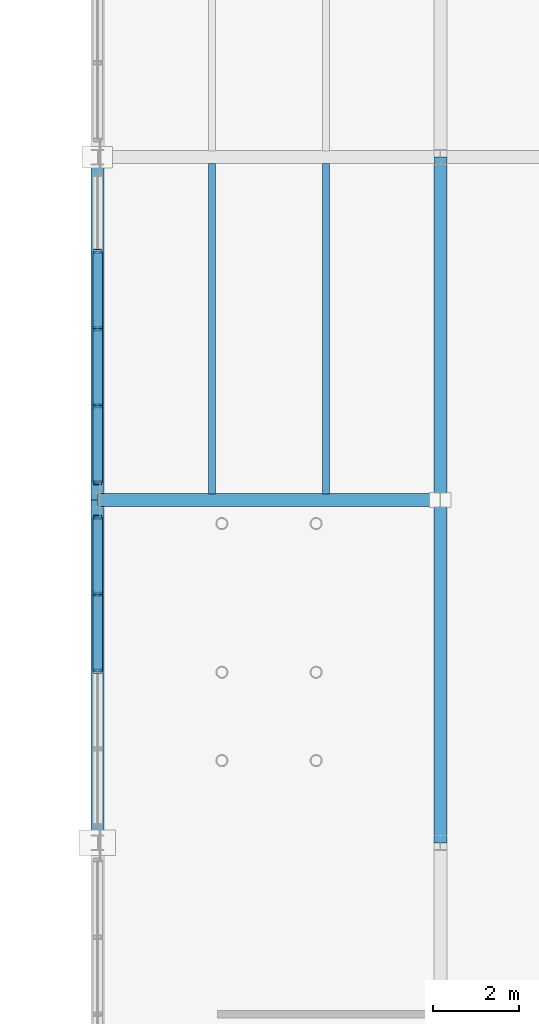
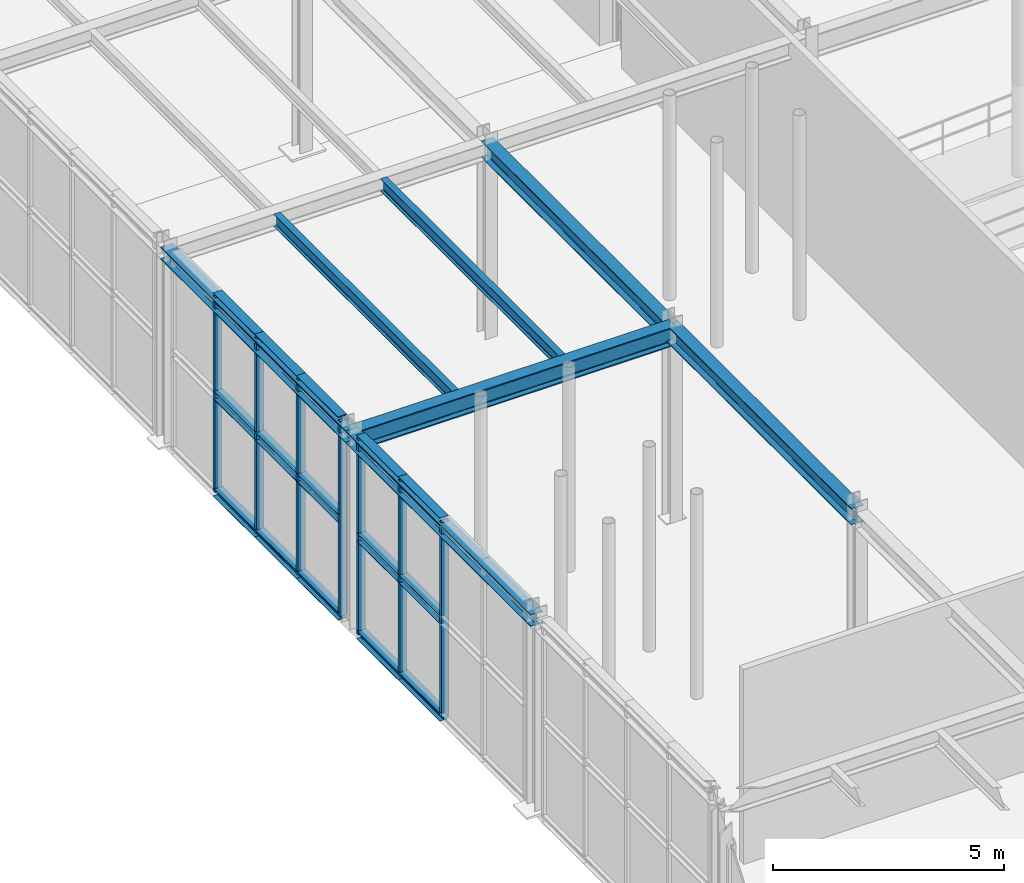
# One storey, part 27 of 129: 22 members, 7 beams, 2 elements without a shape of their own.
"""IFC4 building model written with IfcOpenShell, lengths in metres."""

from ifc_helpers import new_model, si_unit, direction, frame, origin, origin_2d, place, context, subcontext, project, spatial, hollow_rectangle, i_section, extrude, material, material_profile, profile_set, type_object, element, aggregate, save


model = new_model("IFC4")

# Units and contexts
model_context = context("Model", 3, precision=1e-05, world=origin(), true_north=direction((0.0, 1.0)))
body_context = subcontext(model_context, "Body", "Model", "MODEL_VIEW")
ifc_project = project(units=[si_unit("LENGTHUNIT", "METRE"), si_unit("AREAUNIT", "SQUARE_METRE"), si_unit("VOLUMEUNIT", "CUBIC_METRE"), si_unit("PLANEANGLEUNIT", "RADIAN"), si_unit("MASSUNIT", "GRAM", prefix="KILO")], contexts=[model_context])

# Site, building, storey
site_placement = place(None, origin())
site = spatial("IfcSite", under=ifc_project, at=site_placement, CompositionType="ELEMENT")
building_placement = place(site_placement, origin())
building = spatial("IfcBuilding", under=site, at=building_placement, Name="Sundkrona Museum", CompositionType="ELEMENT")
storey_placement = place(building_placement, origin())
storey = spatial("IfcBuildingStorey", under=building, at=storey_placement, Name="L00", CompositionType="ELEMENT", Elevation=0.0)

# Beams
ifc_material_1 = material(Name="Steel S355J2", Category="steel")
ifc_material_profile_1 = material_profile(ifc_material_1, i_section(OverallWidth=0.300048828125, OverallDepth=0.43994140625, WebThickness=0.011474609375, FlangeThickness=0.02099609375, FilletRadius=0.027099609375, at=origin_2d()), Name="HEA 450")
ifc_profile_set_1 = profile_set([ifc_material_profile_1], Name="Steel S355J2")
beam_type_1 = type_object("IfcBeamType", Name="B-HEA450", PredefinedType="BEAM", material=ifc_profile_set_1)
for number, where, z_axis, x_axis, name in (
    (1, (88.0, 16.0, 4.919921875), (0.0, 1.0, 0.0), (-1.0, 0.0, 0.0), "L00 Girder Y-0688"),
    (2, (88.0, 24.0, 4.919921875), (0.0, 1.0, 0.0), (-1.0, 0.0, 0.0), "L00 Girder Y-0689"),
):
    element("IfcBeam", number, at=place(storey_placement, frame(where, z_axis=z_axis, x_axis=x_axis)), inside=storey, type_object=beam_type_1, Name=name, PredefinedType="BEAM", context=body_context, shape_type="SweptSolid", body=[
        extrude(i_section(OverallWidth=0.300048828125, OverallDepth=0.43994140625, WebThickness=0.011474609375, FlangeThickness=0.02099609375, FilletRadius=0.027099609375, at=origin_2d()), origin(), (0.0, 0.0, 1.0), 8.0),
    ])
ifc_material_profile_2 = material_profile(ifc_material_1, i_section(OverallWidth=0.300048828125, OverallDepth=0.5, WebThickness=0.014404296875, FlangeThickness=0.028076171875, FilletRadius=0.027099609375, at=origin_2d()), Name="HEB 500")
ifc_profile_set_2 = profile_set([ifc_material_profile_2], Name="Steel S355J2")
beam_type_2 = type_object("IfcBeamType", Name="B-HEB500", PredefinedType="BEAM", material=ifc_profile_set_2)
beam_placement = place(storey_placement, frame((80.0, 24.0, 4.889892578125), z_axis=(1.0, 0.0, 0.0), x_axis=(0.0, 1.0, 0.0)))
element("IfcBeam", 3, at=beam_placement, inside=storey, type_object=beam_type_2, Name="L00 Girder X-0450", PredefinedType="BEAM", context=body_context, shape_type="SweptSolid", body=[
    extrude(i_section(OverallWidth=0.300048828125, OverallDepth=0.5, WebThickness=0.014404296875, FlangeThickness=0.028076171875, FilletRadius=0.027099609375, at=origin_2d()), origin(), (0.0, 0.0, 1.0), 8.0),
])
ifc_material_profile_3 = material_profile(ifc_material_1, i_section(OverallWidth=0.159912109375, OverallDepth=0.330078125, WebThickness=0.007568359375, FlangeThickness=0.011474609375, FilletRadius=0.01806640625, at=origin_2d()), Name="IPE 330")
ifc_profile_set_3 = profile_set([ifc_material_profile_3], Name="Steel S355J2")
beam_type_3 = type_object("IfcBeamType", Name="J-IPE330", PredefinedType="JOIST", material=ifc_profile_set_3)
for number, where, z_axis, x_axis, name in (
    (4, (82.666748046875, 24.14404296875, 4.97509765625), (0.0, 1.0, 0.0), (-1.0, 0.0, 0.0), "L00 Composite Joist 0391"),
    (5, (85.333251953125, 24.14404296875, 4.97509765625), (0.0, 1.0, 0.0), (-1.0, 0.0, 0.0), "L00 Composite Joist 0392"),
):
    element("IfcBeam", number, at=place(storey_placement, frame(where, z_axis=z_axis, x_axis=x_axis)), inside=storey, type_object=beam_type_3, Name=name, PredefinedType="JOIST", context=body_context, shape_type="SweptSolid", body=[
        extrude(i_section(OverallWidth=0.159912109375, OverallDepth=0.330078125, WebThickness=0.007568359375, FlangeThickness=0.011474609375, FilletRadius=0.01806640625, at=origin_2d()), origin(), (0.0, 0.0, 1.0), 7.7119140625),
    ])

# Curtain wall, members
ifc_material_2 = material(Name="Unitised Aluminium-Steel and Ceramic-Clad Curtain Walling", Category="steel")
curtain_wall_type = type_object("IfcCurtainWallType", Name="CW-AT-72x50", PredefinedType="NOTDEFINED", material=ifc_material_2)
curtain_wall_1_placement = place(storey_placement, origin())
curtain_wall_1 = element("IfcCurtainWall", 6, at=curtain_wall_1_placement, inside=storey, type_object=curtain_wall_type, Name="L00 Curtain Wall CW-L00-022", PredefinedType="NOTDEFINED")
ifc_material_3 = material(Name="Aluminium EN AW-6060 T66", Category="aluminium")
ifc_material_profile_4 = material_profile(ifc_material_3, hollow_rectangle(XDim=0.090087890625, YDim=0.179931640625, WallThickness=0.00634765625, at=origin_2d()), Name="RHS 180x90x6.3")
ifc_profile_set_4 = profile_set([ifc_material_profile_4], Name="Aluminium EN AW-6060 T66")
member_type_1 = type_object("IfcMemberType", Name="ML-180", PredefinedType="MULLION", material=ifc_profile_set_4)
member_1_placement = place(storey_placement, frame((80.0, 20.0, -0.00390625), z_axis=(0.0, 0.0, 1.0), x_axis=(0.0, 1.0, 0.0)))
member_1 = element("IfcMember", 7, at=member_1_placement, type_object=member_type_1, Name="CW-L00-022 Mullion 03", PredefinedType="MULLION", context=body_context, shape_type="SweptSolid", body=[
    extrude(hollow_rectangle(XDim=0.090087890625, YDim=0.179931640625, WallThickness=0.00634765625, at=origin_2d()), origin(), (0.0, 0.0, 1.0), 5.14794921875),
])
member_2_placement = place(storey_placement, frame((80.0, 21.800048828125, -0.00390625), z_axis=(0.0, 0.0, 1.0), x_axis=(0.0, 1.0, 0.0)))
member_2 = element("IfcMember", 8, at=member_2_placement, type_object=member_type_1, Name="CW-L00-022 Mullion 04", PredefinedType="MULLION", context=body_context, shape_type="SweptSolid", body=[
    extrude(hollow_rectangle(XDim=0.090087890625, YDim=0.179931640625, WallThickness=0.00634765625, at=origin_2d()), origin(), (0.0, 0.0, 1.0), 5.14794921875),
])
member_3_placement = place(storey_placement, frame((80.0, 23.60009765625, -0.00390625), z_axis=(0.0, 0.0, 1.0), x_axis=(0.0, 1.0, 0.0)))
member_3 = element("IfcMember", 9, at=member_3_placement, type_object=member_type_1, Name="CW-L00-022 Mullion 05", PredefinedType="MULLION", context=body_context, shape_type="SweptSolid", body=[
    extrude(hollow_rectangle(XDim=0.090087890625, YDim=0.179931640625, WallThickness=0.00634765625, at=origin_2d()), origin(), (0.0, 0.0, 1.0), 5.14794921875),
])

curtain_wall_2_placement = place(storey_placement, origin())
curtain_wall_2 = element("IfcCurtainWall", 10, at=curtain_wall_2_placement, inside=storey, type_object=curtain_wall_type, Name="L00 Curtain Wall CW-L00-023", PredefinedType="NOTDEFINED")
member_4_placement = place(storey_placement, frame((80.0, 24.39990234375, -0.00390625), z_axis=(0.0, 0.0, 1.0), x_axis=(0.0, 1.0, 0.0)))
member_4 = element("IfcMember", 11, at=member_4_placement, type_object=member_type_1, Name="CW-L00-023 Mullion 01", PredefinedType="MULLION", context=body_context, shape_type="SweptSolid", body=[
    extrude(hollow_rectangle(XDim=0.090087890625, YDim=0.179931640625, WallThickness=0.00634765625, at=origin_2d()), origin(), (0.0, 0.0, 1.0), 5.14794921875),
])
member_5_placement = place(storey_placement, frame((80.0, 26.199951171875, -0.00390625), z_axis=(0.0, 0.0, 1.0), x_axis=(0.0, 1.0, 0.0)))
member_5 = element("IfcMember", 12, at=member_5_placement, type_object=member_type_1, Name="CW-L00-023 Mullion 02", PredefinedType="MULLION", context=body_context, shape_type="SweptSolid", body=[
    extrude(hollow_rectangle(XDim=0.090087890625, YDim=0.179931640625, WallThickness=0.00634765625, at=origin_2d()), origin(), (0.0, 0.0, 1.0), 5.14794921875),
])
member_6_placement = place(storey_placement, frame((80.0, 28.0, -0.00390625), z_axis=(0.0, 0.0, 1.0), x_axis=(0.0, 1.0, 0.0)))
member_6 = element("IfcMember", 13, at=member_6_placement, type_object=member_type_1, Name="CW-L00-023 Mullion 03", PredefinedType="MULLION", context=body_context, shape_type="SweptSolid", body=[
    extrude(hollow_rectangle(XDim=0.090087890625, YDim=0.179931640625, WallThickness=0.00634765625, at=origin_2d()), origin(), (0.0, 0.0, 1.0), 5.14794921875),
])
member_7_placement = place(storey_placement, frame((80.0, 29.800048828125, -0.00390625), z_axis=(0.0, 0.0, 1.0), x_axis=(0.0, 1.0, 0.0)))
member_7 = element("IfcMember", 14, at=member_7_placement, type_object=member_type_1, Name="CW-L00-023 Mullion 04", PredefinedType="MULLION", context=body_context, shape_type="SweptSolid", body=[
    extrude(hollow_rectangle(XDim=0.090087890625, YDim=0.179931640625, WallThickness=0.00634765625, at=origin_2d()), origin(), (0.0, 0.0, 1.0), 5.14794921875),
])

# Beams
ifc_material_profile_5 = material_profile(ifc_material_1, i_section(OverallWidth=0.300048828125, OverallDepth=0.320068359375, WebThickness=0.011474609375, FlangeThickness=0.0205078125, FilletRadius=0.027099609375, at=origin_2d()), Name="HEB 320")
ifc_profile_set_5 = profile_set([ifc_material_profile_5], Name="Steel S355J2")
beam_type_4 = type_object("IfcBeamType", Name="SP-HEB320", PredefinedType="SPANDREL", material=ifc_profile_set_5)
for number, where, z_axis, x_axis, name in (
    (15, (80.0, 16.0, 4.97998046875), (0.0, 1.0, 0.0), (-1.0, 0.0, 0.0), "L00 Girder Y-0673"),
    (16, (80.0, 24.0, 4.97998046875), (0.0, 1.0, 0.0), (-1.0, 0.0, 0.0), "L00 Girder Y-0674"),
):
    element("IfcBeam", number, at=place(storey_placement, frame(where, z_axis=z_axis, x_axis=x_axis)), inside=storey, type_object=beam_type_4, Name=name, PredefinedType="SPANDREL", context=body_context, shape_type="SweptSolid", body=[
        extrude(i_section(OverallWidth=0.300048828125, OverallDepth=0.320068359375, WebThickness=0.011474609375, FlangeThickness=0.0205078125, FilletRadius=0.027099609375, at=origin_2d()), origin(), (0.0, 0.0, 1.0), 8.0),
    ])

# Member
ifc_material_profile_6 = material_profile(ifc_material_1, i_section(OverallWidth=0.219970703125, OverallDepth=0.219970703125, WebThickness=0.009521484375, FlangeThickness=0.01611328125, FilletRadius=0.01806640625, at=origin_2d()), Name="HEB 220")
ifc_profile_set_6 = profile_set([ifc_material_profile_6], Name="Steel S355J2")
member_type_2 = type_object("IfcMemberType", Name="TR-HEB220", PredefinedType="USERDEFINED", material=ifc_profile_set_6)
member_8_placement = place(storey_placement, frame((80.0, 20.0, -0.00390625), z_axis=(0.0, 1.0, 0.0), x_axis=(-1.0, 0.0, 0.0)))
member_8 = element("IfcMember", 17, at=member_8_placement, type_object=member_type_2, Name="CW-L00-022 Transom 07", ObjectType="TRANSOM", PredefinedType="USERDEFINED", context=body_context, shape_type="SweptSolid", body=[
    extrude(i_section(OverallWidth=0.219970703125, OverallDepth=0.219970703125, WebThickness=0.009521484375, FlangeThickness=0.01611328125, FilletRadius=0.01806640625, at=origin_2d()), origin(), (0.0, 0.0, 1.0), 1.800048828125),
])

member_9_placement = place(storey_placement, frame((80.0, 20.0, 2.570068359375), z_axis=(0.0, 1.0, 0.0), x_axis=(-1.0, 0.0, 0.0)))
member_9 = element("IfcMember", 18, at=member_9_placement, type_object=member_type_2, Name="CW-L00-022 Transom 08", ObjectType="TRANSOM", PredefinedType="USERDEFINED", context=body_context, shape_type="SweptSolid", body=[
    extrude(i_section(OverallWidth=0.219970703125, OverallDepth=0.219970703125, WebThickness=0.009521484375, FlangeThickness=0.01611328125, FilletRadius=0.01806640625, at=origin_2d()), origin(), (0.0, 0.0, 1.0), 1.800048828125),
])

member_10_placement = place(storey_placement, frame((80.0, 20.0, 5.14404296875), z_axis=(0.0, 1.0, 0.0), x_axis=(-1.0, 0.0, 0.0)))
member_10 = element("IfcMember", 19, at=member_10_placement, type_object=member_type_2, Name="CW-L00-022 Transom 09", ObjectType="TRANSOM", PredefinedType="USERDEFINED", context=body_context, shape_type="SweptSolid", body=[
    extrude(i_section(OverallWidth=0.219970703125, OverallDepth=0.219970703125, WebThickness=0.009521484375, FlangeThickness=0.01611328125, FilletRadius=0.01806640625, at=origin_2d()), origin(), (0.0, 0.0, 1.0), 1.800048828125),
])

member_11_placement = place(storey_placement, frame((80.0, 21.800048828125, -0.00390625), z_axis=(0.0, 1.0, 0.0), x_axis=(-1.0, 0.0, 0.0)))
member_11 = element("IfcMember", 20, at=member_11_placement, type_object=member_type_2, Name="CW-L00-022 Transom 10", ObjectType="TRANSOM", PredefinedType="USERDEFINED", context=body_context, shape_type="SweptSolid", body=[
    extrude(i_section(OverallWidth=0.219970703125, OverallDepth=0.219970703125, WebThickness=0.009521484375, FlangeThickness=0.01611328125, FilletRadius=0.01806640625, at=origin_2d()), origin(), (0.0, 0.0, 1.0), 1.800048828125),
])

member_12_placement = place(storey_placement, frame((80.0, 21.800048828125, 2.570068359375), z_axis=(0.0, 1.0, 0.0), x_axis=(-1.0, 0.0, 0.0)))
member_12 = element("IfcMember", 21, at=member_12_placement, type_object=member_type_2, Name="CW-L00-022 Transom 11", ObjectType="TRANSOM", PredefinedType="USERDEFINED", context=body_context, shape_type="SweptSolid", body=[
    extrude(i_section(OverallWidth=0.219970703125, OverallDepth=0.219970703125, WebThickness=0.009521484375, FlangeThickness=0.01611328125, FilletRadius=0.01806640625, at=origin_2d()), origin(), (0.0, 0.0, 1.0), 1.800048828125),
])

member_13_placement = place(storey_placement, frame((80.0, 21.800048828125, 5.14404296875), z_axis=(0.0, 1.0, 0.0), x_axis=(-1.0, 0.0, 0.0)))
member_13 = element("IfcMember", 22, at=member_13_placement, type_object=member_type_2, Name="CW-L00-022 Transom 12", ObjectType="TRANSOM", PredefinedType="USERDEFINED", context=body_context, shape_type="SweptSolid", body=[
    extrude(i_section(OverallWidth=0.219970703125, OverallDepth=0.219970703125, WebThickness=0.009521484375, FlangeThickness=0.01611328125, FilletRadius=0.01806640625, at=origin_2d()), origin(), (0.0, 0.0, 1.0), 1.800048828125),
])

aggregate(curtain_wall_1, [member_1, member_2, member_3, member_8, member_9, member_10, member_11, member_12, member_13])

member_14_placement = place(storey_placement, frame((80.0, 24.39990234375, -0.00390625), z_axis=(0.0, 1.0, 0.0), x_axis=(-1.0, 0.0, 0.0)))
member_14 = element("IfcMember", 23, at=member_14_placement, type_object=member_type_2, Name="CW-L00-023 Transom 01", ObjectType="TRANSOM", PredefinedType="USERDEFINED", context=body_context, shape_type="SweptSolid", body=[
    extrude(i_section(OverallWidth=0.219970703125, OverallDepth=0.219970703125, WebThickness=0.009521484375, FlangeThickness=0.01611328125, FilletRadius=0.01806640625, at=origin_2d()), origin(), (0.0, 0.0, 1.0), 1.800048828125),
])

member_15_placement = place(storey_placement, frame((80.0, 24.39990234375, 2.570068359375), z_axis=(0.0, 1.0, 0.0), x_axis=(-1.0, 0.0, 0.0)))
member_15 = element("IfcMember", 24, at=member_15_placement, type_object=member_type_2, Name="CW-L00-023 Transom 02", ObjectType="TRANSOM", PredefinedType="USERDEFINED", context=body_context, shape_type="SweptSolid", body=[
    extrude(i_section(OverallWidth=0.219970703125, OverallDepth=0.219970703125, WebThickness=0.009521484375, FlangeThickness=0.01611328125, FilletRadius=0.01806640625, at=origin_2d()), origin(), (0.0, 0.0, 1.0), 1.800048828125),
])

member_16_placement = place(storey_placement, frame((80.0, 24.39990234375, 5.14404296875), z_axis=(0.0, 1.0, 0.0), x_axis=(-1.0, 0.0, 0.0)))
member_16 = element("IfcMember", 25, at=member_16_placement, type_object=member_type_2, Name="CW-L00-023 Transom 03", ObjectType="TRANSOM", PredefinedType="USERDEFINED", context=body_context, shape_type="SweptSolid", body=[
    extrude(i_section(OverallWidth=0.219970703125, OverallDepth=0.219970703125, WebThickness=0.009521484375, FlangeThickness=0.01611328125, FilletRadius=0.01806640625, at=origin_2d()), origin(), (0.0, 0.0, 1.0), 1.800048828125),
])

member_17_placement = place(storey_placement, frame((80.0, 26.199951171875, -0.00390625), z_axis=(0.0, 1.0, 0.0), x_axis=(-1.0, 0.0, 0.0)))
member_17 = element("IfcMember", 26, at=member_17_placement, type_object=member_type_2, Name="CW-L00-023 Transom 04", ObjectType="TRANSOM", PredefinedType="USERDEFINED", context=body_context, shape_type="SweptSolid", body=[
    extrude(i_section(OverallWidth=0.219970703125, OverallDepth=0.219970703125, WebThickness=0.009521484375, FlangeThickness=0.01611328125, FilletRadius=0.01806640625, at=origin_2d()), origin(), (0.0, 0.0, 1.0), 1.800048828125),
])

member_18_placement = place(storey_placement, frame((80.0, 26.199951171875, 2.570068359375), z_axis=(0.0, 1.0, 0.0), x_axis=(-1.0, 0.0, 0.0)))
member_18 = element("IfcMember", 27, at=member_18_placement, type_object=member_type_2, Name="CW-L00-023 Transom 05", ObjectType="TRANSOM", PredefinedType="USERDEFINED", context=body_context, shape_type="SweptSolid", body=[
    extrude(i_section(OverallWidth=0.219970703125, OverallDepth=0.219970703125, WebThickness=0.009521484375, FlangeThickness=0.01611328125, FilletRadius=0.01806640625, at=origin_2d()), origin(), (0.0, 0.0, 1.0), 1.800048828125),
])

member_19_placement = place(storey_placement, frame((80.0, 26.199951171875, 5.14404296875), z_axis=(0.0, 1.0, 0.0), x_axis=(-1.0, 0.0, 0.0)))
member_19 = element("IfcMember", 28, at=member_19_placement, type_object=member_type_2, Name="CW-L00-023 Transom 06", ObjectType="TRANSOM", PredefinedType="USERDEFINED", context=body_context, shape_type="SweptSolid", body=[
    extrude(i_section(OverallWidth=0.219970703125, OverallDepth=0.219970703125, WebThickness=0.009521484375, FlangeThickness=0.01611328125, FilletRadius=0.01806640625, at=origin_2d()), origin(), (0.0, 0.0, 1.0), 1.800048828125),
])

member_20_placement = place(storey_placement, frame((80.0, 28.0, -0.00390625), z_axis=(0.0, 1.0, 0.0), x_axis=(-1.0, 0.0, 0.0)))
member_20 = element("IfcMember", 29, at=member_20_placement, type_object=member_type_2, Name="CW-L00-023 Transom 07", ObjectType="TRANSOM", PredefinedType="USERDEFINED", context=body_context, shape_type="SweptSolid", body=[
    extrude(i_section(OverallWidth=0.219970703125, OverallDepth=0.219970703125, WebThickness=0.009521484375, FlangeThickness=0.01611328125, FilletRadius=0.01806640625, at=origin_2d()), origin(), (0.0, 0.0, 1.0), 1.800048828125),
])

member_21_placement = place(storey_placement, frame((80.0, 28.0, 2.570068359375), z_axis=(0.0, 1.0, 0.0), x_axis=(-1.0, 0.0, 0.0)))
member_21 = element("IfcMember", 30, at=member_21_placement, type_object=member_type_2, Name="CW-L00-023 Transom 08", ObjectType="TRANSOM", PredefinedType="USERDEFINED", context=body_context, shape_type="SweptSolid", body=[
    extrude(i_section(OverallWidth=0.219970703125, OverallDepth=0.219970703125, WebThickness=0.009521484375, FlangeThickness=0.01611328125, FilletRadius=0.01806640625, at=origin_2d()), origin(), (0.0, 0.0, 1.0), 1.800048828125),
])

member_22_placement = place(storey_placement, frame((80.0, 28.0, 5.14404296875), z_axis=(0.0, 1.0, 0.0), x_axis=(-1.0, 0.0, 0.0)))
member_22 = element("IfcMember", 31, at=member_22_placement, type_object=member_type_2, Name="CW-L00-023 Transom 09", ObjectType="TRANSOM", PredefinedType="USERDEFINED", context=body_context, shape_type="SweptSolid", body=[
    extrude(i_section(OverallWidth=0.219970703125, OverallDepth=0.219970703125, WebThickness=0.009521484375, FlangeThickness=0.01611328125, FilletRadius=0.01806640625, at=origin_2d()), origin(), (0.0, 0.0, 1.0), 1.800048828125),
])

aggregate(curtain_wall_2, [member_4, member_5, member_6, member_7, member_14, member_15, member_16, member_17, member_18, member_19, member_20, member_21, member_22])

save(model, "model.ifc")
